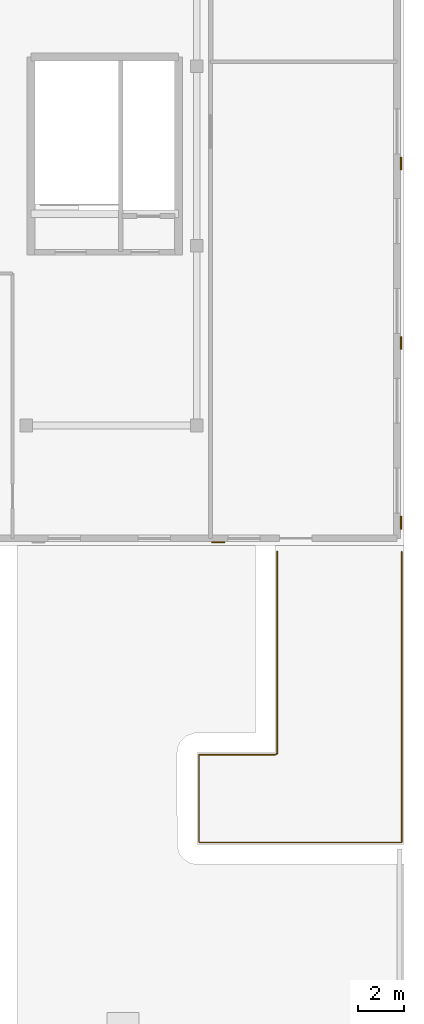
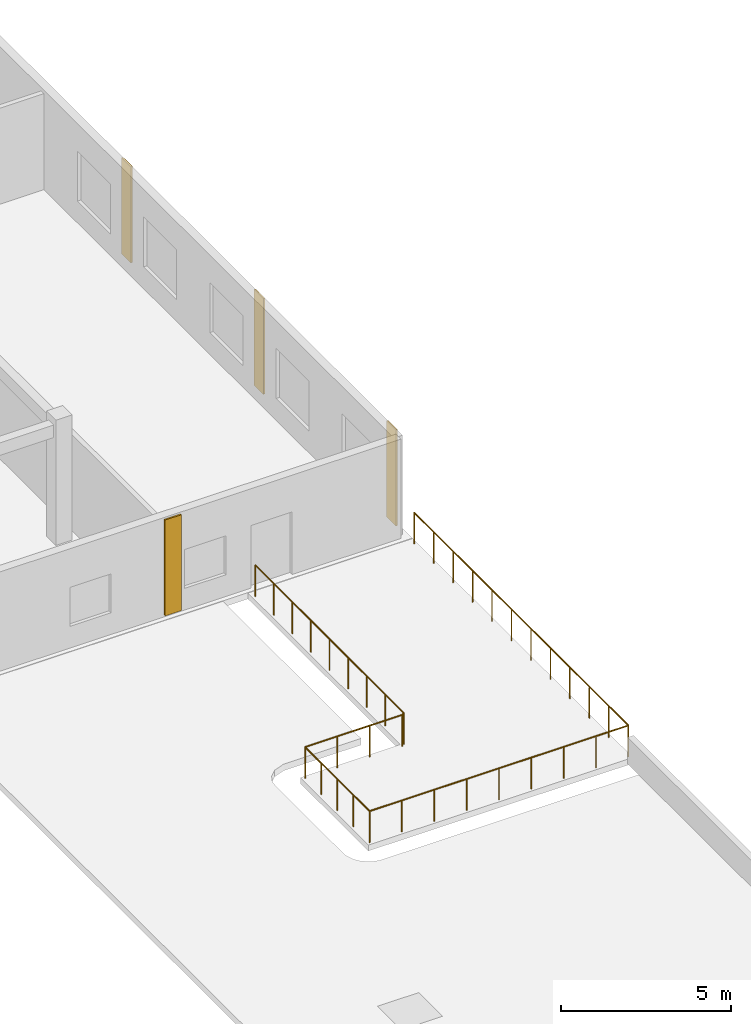
# One storey, part 42 of 46: 4 coverings, 2 railings.
"""IFC4 building model written with IfcOpenShell, lengths in metres."""

from ifc_helpers import new_model, si_unit, direction, frame, origin, origin_2d, place, context, subcontext, project, spatial, rectangle, circle, extrude, material, layer, layer_set, type_object, element, save


model = new_model("IFC4")

# Units and contexts
model_context = context("Model", 3, precision=1e-05, world=origin(), true_north=direction((0.0, 1.0)))
body_context = subcontext(model_context, "Body", "Model", "MODEL_VIEW")
ifc_project = project(units=[si_unit("LENGTHUNIT", "METRE"), si_unit("AREAUNIT", "SQUARE_METRE"), si_unit("VOLUMEUNIT", "CUBIC_METRE"), si_unit("PLANEANGLEUNIT", "RADIAN"), si_unit("MASSUNIT", "GRAM", prefix="KILO")], contexts=[model_context])

# Site, building, storey
site_placement = place(None, origin())
site = spatial("IfcSite", under=ifc_project, at=site_placement, CompositionType="ELEMENT")
building_placement = place(site_placement, origin())
building = spatial("IfcBuilding", under=site, at=building_placement, Name="Pelvatis Terrace Science Centre", CompositionType="ELEMENT")
storey_placement = place(building_placement, frame((0.0, 0.0, 19.800048828125)))
storey = spatial("IfcBuildingStorey", under=building, at=storey_placement, Name="L04", CompositionType="ELEMENT", Elevation=19.800048828125)

# Coverings
ifc_material_1 = material(Name="Fluted warm stone-aggregate precast facade relief panel", Category="masonry")
ifc_layer = layer(ifc_material_1, 0.054931640625)
ifc_layer_set = layer_set([ifc_layer], Name="Fluted warm stone-aggregate precast facade relief panel")
covering_type = type_object("IfcCoveringType", Name="COV-CLAD-PREC-55", PredefinedType="CLADDING", material=ifc_layer_set)
for number, where, z_axis, x_axis, name in (
    (1, (157.072509765625, 65.97998046875, 0.06005859375), (0.0, 0.0, 1.0), (1.0, 0.0, 0.0), "Classical fluted stone pilaster strip 76"),
    (2, (157.072509765625, 73.780029296875, 0.06005859375), (0.0, 0.0, 1.0), (1.0, 0.0, 0.0), "Classical fluted stone pilaster strip 77"),
    (3, (157.072509765625, 81.580078125, 0.06005859375), (0.0, 0.0, 1.0), (1.0, 0.0, 0.0), "Classical fluted stone pilaster strip 78"),
):
    element("IfcCovering", number, at=place(storey_placement, frame(where, z_axis=z_axis, x_axis=x_axis)), inside=storey, type_object=covering_type, Name=name, PredefinedType="CLADDING", context=body_context, shape_type="SweptSolid", body=[
        extrude(rectangle(XDim=0.054931640625, YDim=0.550048828125, at=origin_2d()), origin(), (0.0, 0.0, 1.0), 3.449951171875),
    ])
covering_placement = place(storey_placement, frame((149.1298828125, 65.12744140625, 0.06005859375), z_axis=(0.0, 0.0, 1.0), x_axis=(1.0, 0.0, 0.0)))
element("IfcCovering", 4, at=covering_placement, inside=storey, type_object=covering_type, Name="Classical fluted stone pilaster strip 85", PredefinedType="CLADDING", context=body_context, shape_type="SweptSolid", body=[
    extrude(rectangle(XDim=0.550048828125, YDim=0.054931640625, at=origin_2d()), origin(), (0.0, 0.0, 1.0), 3.449951171875),
])

# Railings
ifc_material_2 = material(Name="Bronze-anodised aluminium and laminated safety glass balustrade", Category="aluminium")
railing_type = type_object("IfcRailingType", Name="RLG-BAL-1150", PredefinedType="BALUSTRADE", material=ifc_material_2)
railing_1_placement = place(storey_placement, frame((148.300048828125, 55.89990234375, 0.0)))
element("IfcRailing", 5, at=railing_1_placement, inside=storey, type_object=railing_type, Name="Outdoor terrace safety balustrade RLG-TER-L04-3", PredefinedType="BALUSTRADE", context=body_context, shape_type="SweptSolid", body=[
    extrude(circle(Radius=0.02392578125, at=origin_2d()), frame((0.0, 0.0, 1.1259765625), z_axis=(1.0, 0.0, 0.0), x_axis=(0.0, 1.0, 0.0)), (0.0, 0.0, 1.0), 3.300048828125),
    extrude(circle(Radius=0.02392578125, at=origin_2d()), frame((3.300048828125, 0.0, 1.1259765625), z_axis=(0.831034208445, 0.556221308827, 0.0), x_axis=(-0.556221308827, 0.831034208445, 0.0)), (0.0, 0.0, 1.0), 0.111083984375),
    extrude(circle(Radius=0.02392578125, at=origin_2d()), frame((3.392333984375, 0.061767578125, 1.1259765625), z_axis=(0.000864135263, 0.999999626635, 0.0), x_axis=(-0.999999626635, 0.000864135263, 0.0)), (0.0, 0.0, 1.0), 8.75830078125),
    extrude(circle(Radius=0.02099609375, at=origin_2d()), origin(), (0.0, 0.0, 1.0), 1.101806640625),
    extrude(circle(Radius=0.02099609375, at=origin_2d()), frame((1.10009765625, 0.0, 0.0)), (0.0, 0.0, 1.0), 1.101806640625),
    extrude(circle(Radius=0.02099609375, at=origin_2d()), frame((2.199951171875, 0.0, 0.0)), (0.0, 0.0, 1.0), 1.101806640625),
    extrude(circle(Radius=0.02099609375, at=origin_2d()), frame((3.300048828125, 0.0, 0.0)), (0.0, 0.0, 1.0), 1.101806640625),
    extrude(circle(Radius=0.02099609375, at=origin_2d()), frame((3.392333984375, 0.061767578125, 0.0)), (0.0, 0.0, 1.0), 1.101806640625),
    extrude(circle(Radius=0.02099609375, at=origin_2d()), frame((3.393310546875, 1.156494140625, 0.0)), (0.0, 0.0, 1.0), 1.101806640625),
    extrude(circle(Radius=0.02099609375, at=origin_2d()), frame((3.394287109375, 2.25146484375, 0.0)), (0.0, 0.0, 1.0), 1.101806640625),
    extrude(circle(Radius=0.02099609375, at=origin_2d()), frame((3.395263671875, 3.34619140625, 0.0)), (0.0, 0.0, 1.0), 1.101806640625),
    extrude(circle(Radius=0.02099609375, at=origin_2d()), frame((3.39599609375, 4.44091796875, 0.0)), (0.0, 0.0, 1.0), 1.101806640625),
    extrude(circle(Radius=0.02099609375, at=origin_2d()), frame((3.39697265625, 5.53564453125, 0.0)), (0.0, 0.0, 1.0), 1.101806640625),
    extrude(circle(Radius=0.02099609375, at=origin_2d()), frame((3.39794921875, 6.63037109375, 0.0)), (0.0, 0.0, 1.0), 1.101806640625),
    extrude(circle(Radius=0.02099609375, at=origin_2d()), frame((3.39892578125, 7.725341796875, 0.0)), (0.0, 0.0, 1.0), 1.101806640625),
    extrude(circle(Radius=0.02099609375, at=origin_2d()), frame((3.39990234375, 8.820068359375, 0.0)), (0.0, 0.0, 1.0), 1.101806640625),
])
railing_2_placement = place(storey_placement, frame((157.10009765625, 64.719970703125, 0.0)))
element("IfcRailing", 6, at=railing_2_placement, inside=storey, type_object=railing_type, Name="Outdoor terrace safety balustrade RLG-TER-L04-4", PredefinedType="BALUSTRADE", context=body_context, shape_type="SweptSolid", body=[
    extrude(circle(Radius=0.02392578125, at=origin_2d()), frame((0.0, 0.0, 1.1259765625), z_axis=(0.0, -1.0, 0.0), x_axis=(1.0, 0.0, 0.0)), (0.0, 0.0, 1.0), 12.619873046875),
    extrude(circle(Radius=0.02392578125, at=origin_2d()), frame((0.0, -12.619873046875, 1.1259765625), z_axis=(-1.0, 0.0, 0.0), x_axis=(0.0, -1.0, 0.0)), (0.0, 0.0, 1.0), 8.800048828125),
    extrude(circle(Radius=0.02392578125, at=origin_2d()), frame((-8.800048828125, -12.619873046875, 1.1259765625), z_axis=(0.0, 1.0, 0.0), x_axis=(-1.0, 0.0, 0.0)), (0.0, 0.0, 1.0), 3.7998046875),
    extrude(circle(Radius=0.02099609375, at=origin_2d()), origin(), (0.0, 0.0, 1.0), 1.101806640625),
    extrude(circle(Radius=0.02099609375, at=origin_2d()), frame((0.0, -1.147216796875, 0.0)), (0.0, 0.0, 1.0), 1.101806640625),
    extrude(circle(Radius=0.02099609375, at=origin_2d()), frame((0.0, -2.29443359375, 0.0)), (0.0, 0.0, 1.0), 1.101806640625),
    extrude(circle(Radius=0.02099609375, at=origin_2d()), frame((0.0, -3.44189453125, 0.0)), (0.0, 0.0, 1.0), 1.101806640625),
    extrude(circle(Radius=0.02099609375, at=origin_2d()), frame((0.0, -4.589111328125, 0.0)), (0.0, 0.0, 1.0), 1.101806640625),
    extrude(circle(Radius=0.02099609375, at=origin_2d()), frame((0.0, -5.736328125, 0.0)), (0.0, 0.0, 1.0), 1.101806640625),
    extrude(circle(Radius=0.02099609375, at=origin_2d()), frame((0.0, -6.883544921875, 0.0)), (0.0, 0.0, 1.0), 1.101806640625),
    extrude(circle(Radius=0.02099609375, at=origin_2d()), frame((0.0, -8.03076171875, 0.0)), (0.0, 0.0, 1.0), 1.101806640625),
    extrude(circle(Radius=0.02099609375, at=origin_2d()), frame((0.0, -9.177978515625, 0.0)), (0.0, 0.0, 1.0), 1.101806640625),
    extrude(circle(Radius=0.02099609375, at=origin_2d()), frame((0.0, -10.325439453125, 0.0)), (0.0, 0.0, 1.0), 1.101806640625),
    extrude(circle(Radius=0.02099609375, at=origin_2d()), frame((0.0, -11.47265625, 0.0)), (0.0, 0.0, 1.0), 1.101806640625),
    extrude(circle(Radius=0.02099609375, at=origin_2d()), frame((0.0, -12.619873046875, 0.0)), (0.0, 0.0, 1.0), 1.101806640625),
    extrude(circle(Radius=0.02099609375, at=origin_2d()), frame((-1.10009765625, -12.619873046875, 0.0)), (0.0, 0.0, 1.0), 1.101806640625),
    extrude(circle(Radius=0.02099609375, at=origin_2d()), frame((-2.199951171875, -12.619873046875, 0.0)), (0.0, 0.0, 1.0), 1.101806640625),
    extrude(circle(Radius=0.02099609375, at=origin_2d()), frame((-3.300048828125, -12.619873046875, 0.0)), (0.0, 0.0, 1.0), 1.101806640625),
    extrude(circle(Radius=0.02099609375, at=origin_2d()), frame((-4.39990234375, -12.619873046875, 0.0)), (0.0, 0.0, 1.0), 1.101806640625),
    extrude(circle(Radius=0.02099609375, at=origin_2d()), frame((-5.5, -12.619873046875, 0.0)), (0.0, 0.0, 1.0), 1.101806640625),
    extrude(circle(Radius=0.02099609375, at=origin_2d()), frame((-6.60009765625, -12.619873046875, 0.0)), (0.0, 0.0, 1.0), 1.101806640625),
    extrude(circle(Radius=0.02099609375, at=origin_2d()), frame((-7.699951171875, -12.619873046875, 0.0)), (0.0, 0.0, 1.0), 1.101806640625),
    extrude(circle(Radius=0.02099609375, at=origin_2d()), frame((-8.800048828125, -12.619873046875, 0.0)), (0.0, 0.0, 1.0), 1.101806640625),
    extrude(circle(Radius=0.02099609375, at=origin_2d()), frame((-8.800048828125, -11.669921875, 0.0)), (0.0, 0.0, 1.0), 1.101806640625),
    extrude(circle(Radius=0.02099609375, at=origin_2d()), frame((-8.800048828125, -10.719970703125, 0.0)), (0.0, 0.0, 1.0), 1.101806640625),
    extrude(circle(Radius=0.02099609375, at=origin_2d()), frame((-8.800048828125, -9.77001953125, 0.0)), (0.0, 0.0, 1.0), 1.101806640625),
    extrude(circle(Radius=0.02099609375, at=origin_2d()), frame((-8.800048828125, -8.820068359375, 0.0)), (0.0, 0.0, 1.0), 1.101806640625),
])

save(model, "model.ifc")
